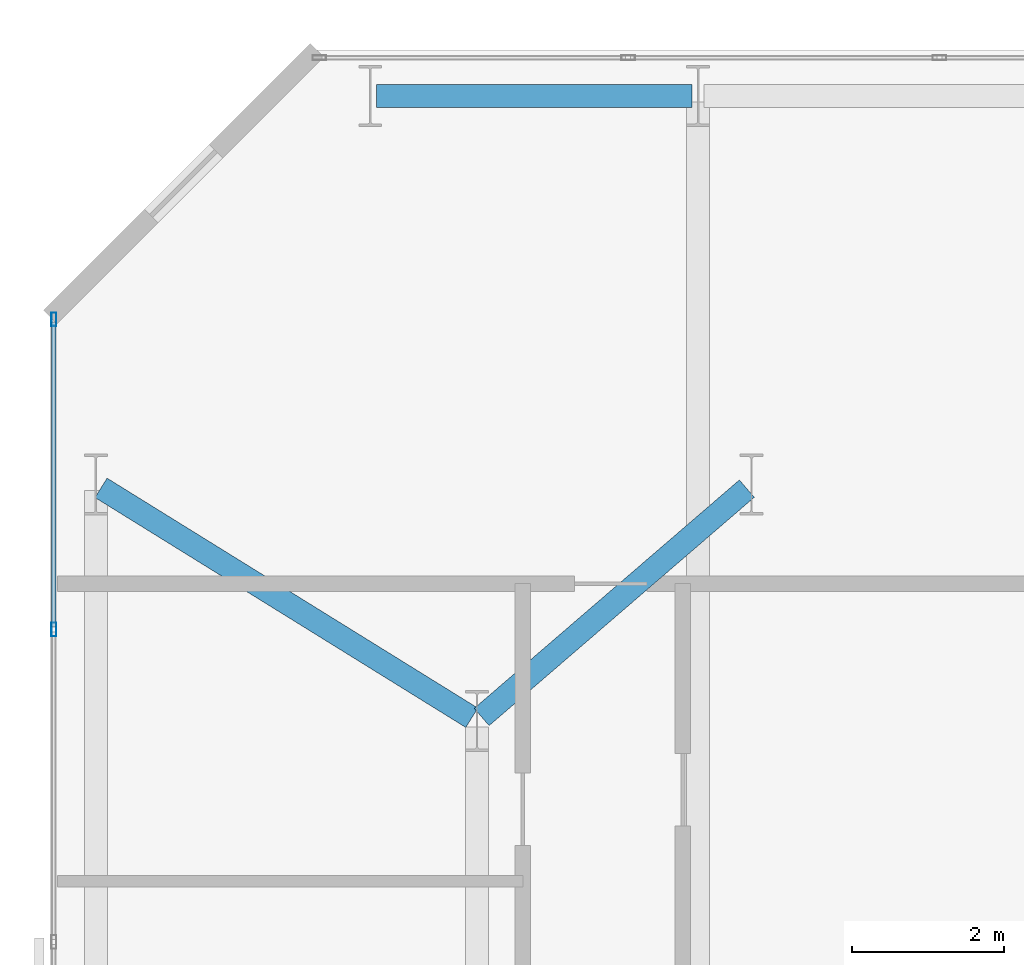
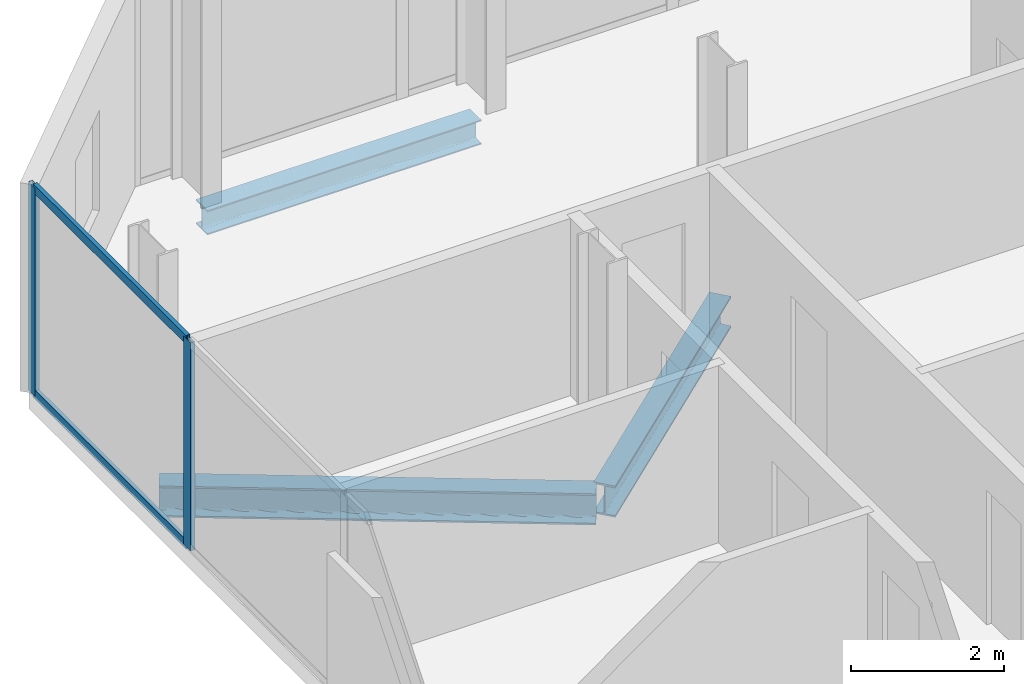
# One storey, part 19 of 32: 4 members, 3 beams, 1 element without a shape of its own.
"""IFC4 building model written with IfcOpenShell, lengths in metres."""

import ifcopenshell
import ifcopenshell.guid

model = None  # the IFC model being written
_history = None  # IfcOwnerHistory: only IFC2X3 demands one
_inside = {}  # id of a spatial element -> (the spatial element, [elements in it])
_under = {}  # id of a project, library or spatial element -> (it, [spatial elements below it])
_declared = {}  # id of a project -> (the project, [libraries it declares])
_typed = {}  # id of a type object -> (the type object, [elements of that type])
_made_of = {}  # id of a material, layer set ... -> (it, [elements and type objects made of it])


def new_model(schema):
    """Start an empty IFC model of exactly this schema.

    Asked for "IFC4X3", IfcOpenShell would pick the latest addendum, in which some entities
    have other attributes; the version numbers below select the first issue.
    IFC2X3 requires an IfcOwnerHistory on every rooted entity: one is made here for all.
    """
    global model, _history
    if schema == "IFC4X3":
        model = ifcopenshell.file(schema_version=(4, 3, 0, 0))
    else:
        model = ifcopenshell.file(schema=schema)
    _inside.clear()
    _under.clear()
    _declared.clear()
    _typed.clear()
    _made_of.clear()
    _history = None
    if model.schema == "IFC2X3":
        org = make("IfcOrganization", Name="unknown")
        user = make(
            "IfcPersonAndOrganization",
            ThePerson=make("IfcPerson", FamilyName="unknown"),
            TheOrganization=org,
        )
        app = make(
            "IfcApplication",
            ApplicationDeveloper=org,
            Version="unknown",
            ApplicationFullName="unknown",
            ApplicationIdentifier="unknown",
        )
        _history = make(
            "IfcOwnerHistory",
            OwningUser=user,
            OwningApplication=app,
            ChangeAction="ADDED",
            CreationDate=0,
        )
    return model


def make(cls, **values):
    """One entity of the class cls with the attributes given. An attribute that is None is left unset."""
    return model.create_entity(
        cls, **{name: value for name, value in values.items() if value is not None}
    )


def rooted(cls, **values):
    """An entity with a GlobalId (a new one), such as an element, a storey or a relation."""
    return make(cls, GlobalId=ifcopenshell.guid.new(), OwnerHistory=_history, **values)


def si_unit(unit_type, name, prefix=None):
    """IfcSIUnit, for example si_unit("LENGTHUNIT", "METRE", prefix="MILLI")."""
    return make("IfcSIUnit", UnitType=unit_type, Prefix=prefix, Name=name)


def assignment(units):
    """IfcUnitAssignment: the units of a project."""
    return None if units is None else make("IfcUnitAssignment", Units=units)


def point(xyz):
    """IfcCartesianPoint."""
    return None if xyz is None else make("IfcCartesianPoint", Coordinates=xyz)


def direction(xyz):
    """IfcDirection."""
    return None if xyz is None else make("IfcDirection", DirectionRatios=xyz)


def frame(location, z_axis=None, x_axis=None):
    """IfcAxis2Placement3D, a coordinate frame: its origin and axes. An axis left out is left unset."""
    return make(
        "IfcAxis2Placement3D",
        Location=point(location),
        Axis=direction(z_axis),
        RefDirection=direction(x_axis),
    )


def frame_2d(location, x_axis=None):
    """IfcAxis2Placement2D, a coordinate frame in the plane: its origin and x axis."""
    return make(
        "IfcAxis2Placement2D", Location=point(location), RefDirection=direction(x_axis)
    )


def origin():
    """The frame at (0, 0, 0) with its axes left unset."""
    return frame((0.0, 0.0, 0.0))


def origin_2d():
    """The frame at (0, 0) in the plane with its x axis left unset."""
    return frame_2d((0.0, 0.0))


def place(relative_to, where):
    """IfcLocalPlacement: puts the frame where relative to a parent placement (None: the world)."""
    return make(
        "IfcLocalPlacement", PlacementRelTo=relative_to, RelativePlacement=where
    )


def context(
    kind, dimensions, precision=None, world=None, true_north=None, identifier=None
):
    """IfcGeometricRepresentationContext, for example the 3D "Model" context."""
    return make(
        "IfcGeometricRepresentationContext",
        ContextIdentifier=identifier,
        ContextType=kind,
        CoordinateSpaceDimension=dimensions,
        Precision=precision,
        WorldCoordinateSystem=world,
        TrueNorth=true_north,
    )


def subcontext(parent, identifier, kind, view, scale=None):
    """IfcGeometricRepresentationSubContext, for example "Body" below "Model"."""
    return make(
        "IfcGeometricRepresentationSubContext",
        ContextIdentifier=identifier,
        ContextType=kind,
        ParentContext=parent,
        TargetScale=scale,
        TargetView=view,
    )


def project(units=None, contexts=None):
    """IfcProject with its units and contexts."""
    return rooted(
        "IfcProject",
        Name="project",
        RepresentationContexts=contexts,
        UnitsInContext=assignment(units),
    )


def spatial(cls, under=None, at=None, **own):
    """A site, building, storey or space (cls), placed at a placement, below another one or the project."""
    s = rooted(cls, ObjectPlacement=at, **own)
    if under is not None:
        _under.setdefault(under.id(), (under, []))[1].append(s)
    return s


def profile(cls, at=None, kind="AREA", **sizes):
    """A parametric profile (cls). Its sizes go by their IFC names, for example OverallWidth=200.0."""
    return make(cls, ProfileType=kind, Position=at, **sizes)


def hollow_rectangle(**sizes):
    """IfcRectangleHollowProfileDef."""
    return profile("IfcRectangleHollowProfileDef", **sizes)


def i_section(**sizes):
    """IfcIShapeProfileDef."""
    return profile("IfcIShapeProfileDef", **sizes)


def extrude(swept, where, along, depth):
    """IfcExtrudedAreaSolid: the profile swept, set in the frame where, extruded along a direction by depth."""
    return make(
        "IfcExtrudedAreaSolid",
        SweptArea=swept,
        Position=where,
        ExtrudedDirection=direction(along),
        Depth=depth,
    )


def shape(context_of_items, identifier, shape_type, items):
    """IfcShapeRepresentation: the items that make up one representation, for example the "Body"."""
    return make(
        "IfcShapeRepresentation",
        ContextOfItems=context_of_items,
        RepresentationIdentifier=identifier,
        RepresentationType=shape_type,
        Items=items,
    )


def material(Name=None, Category=None):
    """IfcMaterial."""
    return make("IfcMaterial", Name=Name, Category=Category)


def layer(
    of_material, thickness, ventilated=None, Name=None, Category=None, Priority=None
):
    """IfcMaterialLayer: one layer of a wall or slab, of a material (None: an air gap)."""
    return make(
        "IfcMaterialLayer",
        Material=of_material,
        LayerThickness=thickness,
        IsVentilated=ventilated,
        Name=Name,
        Category=Category,
        Priority=Priority,
    )


def layer_set(layers, Name=None):
    """IfcMaterialLayerSet."""
    return make("IfcMaterialLayerSet", MaterialLayers=layers, LayerSetName=Name)


def material_profile(
    of_material, cross_section, Name=None, Category=None, Priority=None
):
    """IfcMaterialProfile: a cross section and its material."""
    return make(
        "IfcMaterialProfile",
        Name=Name,
        Material=of_material,
        Profile=cross_section,
        Priority=Priority,
        Category=Category,
    )


def profile_set(profiles, Name=None, composite=None):
    """IfcMaterialProfileSet."""
    return make(
        "IfcMaterialProfileSet",
        Name=Name,
        MaterialProfiles=profiles,
        CompositeProfile=composite,
    )


def made_of(thing, what):
    """Note that an element or type object is made of a material, layer set ...; save() writes the relation."""
    if what is not None:
        _made_of.setdefault(what.id(), (what, []))[1].append(thing)
    return thing


def type_object(cls, material=None, **own):
    """A type object (cls), such as IfcWallType, which elements share."""
    return made_of(rooted(cls, **own), material)


def element(
    cls,
    number,
    at=None,
    inside=None,
    cuts=None,
    type_object=None,
    material=None,
    context=None,
    identifier="Body",
    shape_type=None,
    held_by="IfcProductDefinitionShape",
    body=None,
    shapes=None,
    **own,
):
    """One element of the class cls, such as IfcWall. Its Tag is "e" and its number.

    at: its placement. inside: the storey or other place that contains it. cuts: it is an
    opening in that element (IfcRelVoidsElement). A single representation is given by context,
    identifier, shape_type and body (its items); several are given by shapes. held_by: the class
    of the entity that holds the representations. save() writes the other relations.
    """
    e = rooted(cls, Tag="e%d" % number, ObjectPlacement=at, **own)
    if body is not None:
        shapes = [shape(context, identifier, shape_type, body)]
    if shapes is not None:
        e.Representation = make(held_by, Representations=shapes)
    if inside is not None:
        _inside.setdefault(inside.id(), (inside, []))[1].append(e)
    if cuts is not None:
        rooted(
            "IfcRelVoidsElement", RelatingBuildingElement=cuts, RelatedOpeningElement=e
        )
    if type_object is not None:
        _typed.setdefault(type_object.id(), (type_object, []))[1].append(e)
    return made_of(e, material)


def aggregate(whole, parts):
    """IfcRelAggregates: a whole, such as a stair, and the parts it consists of."""
    return rooted("IfcRelAggregates", RelatingObject=whole, RelatedObjects=parts)


def save(model, path):
    """Write the relations noted so far, then the file.

    IfcRelAggregates (storeys below a building ...), IfcRelContainedInSpatialStructure (elements
    in a storey), IfcRelDefinesByType, IfcRelAssociatesMaterial and IfcRelDeclares: one each for
    every whole, place, type object, material and project.
    """
    for whole, parts in _under.values():
        aggregate(whole, parts)
    for where, things in _inside.values():
        rooted(
            "IfcRelContainedInSpatialStructure",
            RelatedElements=things,
            RelatingStructure=where,
        )
    for kind, things in _typed.values():
        rooted("IfcRelDefinesByType", RelatedObjects=things, RelatingType=kind)
    for what, things in _made_of.values():
        rooted("IfcRelAssociatesMaterial", RelatedObjects=things, RelatingMaterial=what)
    for by, libraries in _declared.values():
        rooted("IfcRelDeclares", RelatingContext=by, RelatedDefinitions=libraries)
    model.write(path)


model = new_model("IFC4")

# Units and contexts
model_context = context("Model", 3, precision=1e-05, world=origin(), true_north=direction((0.0, 1.0)))
body_context = subcontext(model_context, "Body", "Model", "MODEL_VIEW")
ifc_project = project(units=[si_unit("LENGTHUNIT", "METRE"), si_unit("AREAUNIT", "SQUARE_METRE"), si_unit("VOLUMEUNIT", "CUBIC_METRE"), si_unit("PLANEANGLEUNIT", "RADIAN"), si_unit("MASSUNIT", "GRAM", prefix="KILO")], contexts=[model_context])

# Site, building, storey
site_placement = place(None, origin())
site = spatial("IfcSite", under=ifc_project, at=site_placement, CompositionType="ELEMENT")
building_placement = place(site_placement, origin())
building = spatial("IfcBuilding", under=site, at=building_placement, Name="Catumbela Crestline Tower", CompositionType="ELEMENT")
storey_placement = place(building_placement, frame((0.0, 0.0, 65.4)))
storey = spatial("IfcBuildingStorey", under=building, at=storey_placement, Name="L16", CompositionType="ELEMENT", Elevation=65.4)

# Beams
ifc_material_1 = material(Name="Structural steel S355J2", Category="steel")
ifc_material_profile_1 = material_profile(ifc_material_1, i_section(OverallWidth=0.3, OverallDepth=0.5, WebThickness=0.0145, FlangeThickness=0.028, FilletRadius=0.027, at=origin_2d()), Name="HEB 500")
ifc_profile_set_1 = profile_set([ifc_material_profile_1], Name="Structural steel S355J2")
beam_type_1 = type_object("IfcBeamType", Name="BG-HEB500", PredefinedType="BEAM", material=ifc_profile_set_1)
beam_1_placement = place(storey_placement, frame((0.668, 42.2578, -0.51), z_axis=(0.849908952007, -0.526929571479, 0.0), x_axis=(0.526929571479, 0.849908952007, 0.0)))
element("IfcBeam", 1, at=beam_1_placement, inside=storey, type_object=beam_type_1, Name="L16 Beam BM-L16-N13", PredefinedType="BEAM", context=body_context, shape_type="SweptSolid", body=[
    extrude(i_section(OverallWidth=0.3, OverallDepth=0.5, WebThickness=0.0145, FlangeThickness=0.028, FilletRadius=0.027, at=origin_2d()), origin(), (0.0, 0.0, 1.0), 5.723),
])
beam_2_placement = place(storey_placement, frame((5.6606, 39.2522, -0.51), z_axis=(0.757772392559, 0.652518966066, 0.0), x_axis=(-0.652518966066, 0.757772392559, 0.0)))
element("IfcBeam", 2, at=beam_2_placement, inside=storey, type_object=beam_type_1, Name="L16 Beam BM-L16-N14", PredefinedType="BEAM", context=body_context, shape_type="SweptSolid", body=[
    extrude(i_section(OverallWidth=0.3, OverallDepth=0.5, WebThickness=0.0145, FlangeThickness=0.028, FilletRadius=0.027, at=origin_2d()), origin(), (0.0, 0.0, 1.0), 4.5908),
])

# Curtain wall, members
ifc_material_2 = material(Name="Aluminium alloy AW-6060-T66", Category="aluminium")
ifc_layer = layer(ifc_material_2, 0.18, Name="Aluminium alloy AW-6060-T66")
ifc_layer_set = layer_set([ifc_layer], Name="Aluminium alloy AW-6060-T66")
curtain_wall_type = type_object("IfcCurtainWallType", Name="CWU-Z1", PredefinedType="USERDEFINED", material=ifc_layer_set)
curtain_wall_placement = place(storey_placement, origin())
curtain_wall = element("IfcCurtainWall", 3, at=curtain_wall_placement, inside=storey, type_object=curtain_wall_type, Name="L16 Unitised Curtain Wall CW-L16-E9S1", ObjectType="UNITISED", PredefinedType="USERDEFINED")
ifc_material_profile_2 = material_profile(ifc_material_2, hollow_rectangle(XDim=0.065, YDim=0.18, WallThickness=0.004, at=origin_2d()), Name="ALU 180x65x4")
ifc_profile_set_2 = profile_set([ifc_material_profile_2], Name="Aluminium alloy AW-6060-T66")
member_type_1 = type_object("IfcMemberType", Name="MUL-180X65", PredefinedType="MULLION", material=ifc_profile_set_2)
member_1_placement = place(storey_placement, frame((0.05, 44.4675, 0.0), z_axis=(0.0, 0.0, 1.0), x_axis=(1.0, 0.0, 0.0)))
member_1 = element("IfcMember", 4, at=member_1_placement, type_object=member_type_1, Name="CWU-Z1 mullion 1", PredefinedType="MULLION", context=body_context, shape_type="SweptSolid", body=[
    extrude(hollow_rectangle(XDim=0.065, YDim=0.18, WallThickness=0.004, at=origin_2d()), origin(), (0.0, 0.0, 1.0), 3.33),
])
member_2_placement = place(storey_placement, frame((0.05, 40.4, 0.0), z_axis=(0.0, 0.0, 1.0), x_axis=(1.0, 0.0, 0.0)))
member_2 = element("IfcMember", 5, at=member_2_placement, type_object=member_type_1, Name="CWU-Z1 mullion 2", PredefinedType="MULLION", context=body_context, shape_type="SweptSolid", body=[
    extrude(hollow_rectangle(XDim=0.065, YDim=0.18, WallThickness=0.004, at=origin_2d()), origin(), (0.0, 0.0, 1.0), 3.33),
])

# Beam
ifc_material_profile_3 = material_profile(ifc_material_1, i_section(OverallWidth=0.3, OverallDepth=0.39, WebThickness=0.011, FlangeThickness=0.019, FilletRadius=0.027, at=origin_2d()), Name="HEA 400")
ifc_profile_set_3 = profile_set([ifc_material_profile_3], Name="Structural steel S355J2")
beam_type_2 = type_object("IfcBeamType", Name="BS-HEA400", PredefinedType="SPANDREL", material=ifc_profile_set_3)
beam_3_placement = place(storey_placement, frame((4.28, 47.4, -0.455), z_axis=(1.0, 0.0, 0.0), x_axis=(0.0, 1.0, 0.0)))
element("IfcBeam", 6, at=beam_3_placement, inside=storey, type_object=beam_type_2, Name="L16 Spandrel SP-L16-NF19", PredefinedType="SPANDREL", context=body_context, shape_type="SweptSolid", body=[
    extrude(i_section(OverallWidth=0.3, OverallDepth=0.39, WebThickness=0.011, FlangeThickness=0.019, FilletRadius=0.027, at=origin_2d()), origin(), (0.0, 0.0, 1.0), 4.14),
])

# Member
ifc_material_profile_4 = material_profile(ifc_material_2, hollow_rectangle(XDim=0.06, YDim=0.14, WallThickness=0.004, at=origin_2d()), Name="ALU 140x60x4")
ifc_profile_set_4 = profile_set([ifc_material_profile_4], Name="Aluminium alloy AW-6060-T66")
member_type_2 = type_object("IfcMemberType", Name="TRN-140X60", PredefinedType="USERDEFINED", material=ifc_profile_set_4)
member_3_placement = place(storey_placement, frame((0.05, 44.435, 0.03), z_axis=(0.0, -1.0, 0.0), x_axis=(1.0, 0.0, 0.0)))
member_3 = element("IfcMember", 7, at=member_3_placement, type_object=member_type_2, Name="CWU-Z1 transom 1.1", ObjectType="TRANSOM", PredefinedType="USERDEFINED", context=body_context, shape_type="SweptSolid", body=[
    extrude(hollow_rectangle(XDim=0.06, YDim=0.14, WallThickness=0.004, at=origin_2d()), origin(), (0.0, 0.0, 1.0), 4.0025),
])

member_4_placement = place(storey_placement, frame((0.05, 44.435, 3.3), z_axis=(0.0, -1.0, 0.0), x_axis=(1.0, 0.0, 0.0)))
member_4 = element("IfcMember", 8, at=member_4_placement, type_object=member_type_2, Name="CWU-Z1 transom 1.2", ObjectType="TRANSOM", PredefinedType="USERDEFINED", context=body_context, shape_type="SweptSolid", body=[
    extrude(hollow_rectangle(XDim=0.06, YDim=0.14, WallThickness=0.004, at=origin_2d()), origin(), (0.0, 0.0, 1.0), 4.0025),
])

aggregate(curtain_wall, [member_1, member_2, member_3, member_4])

save(model, "model.ifc")
